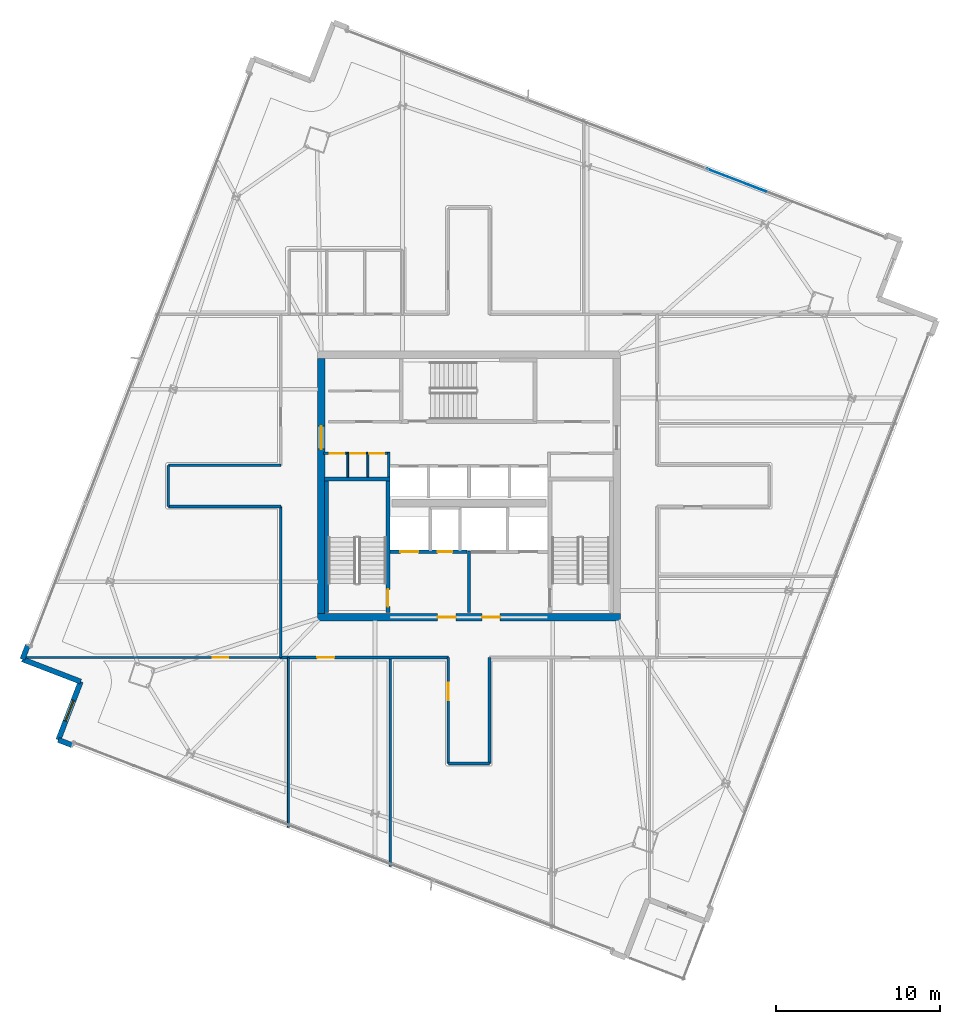
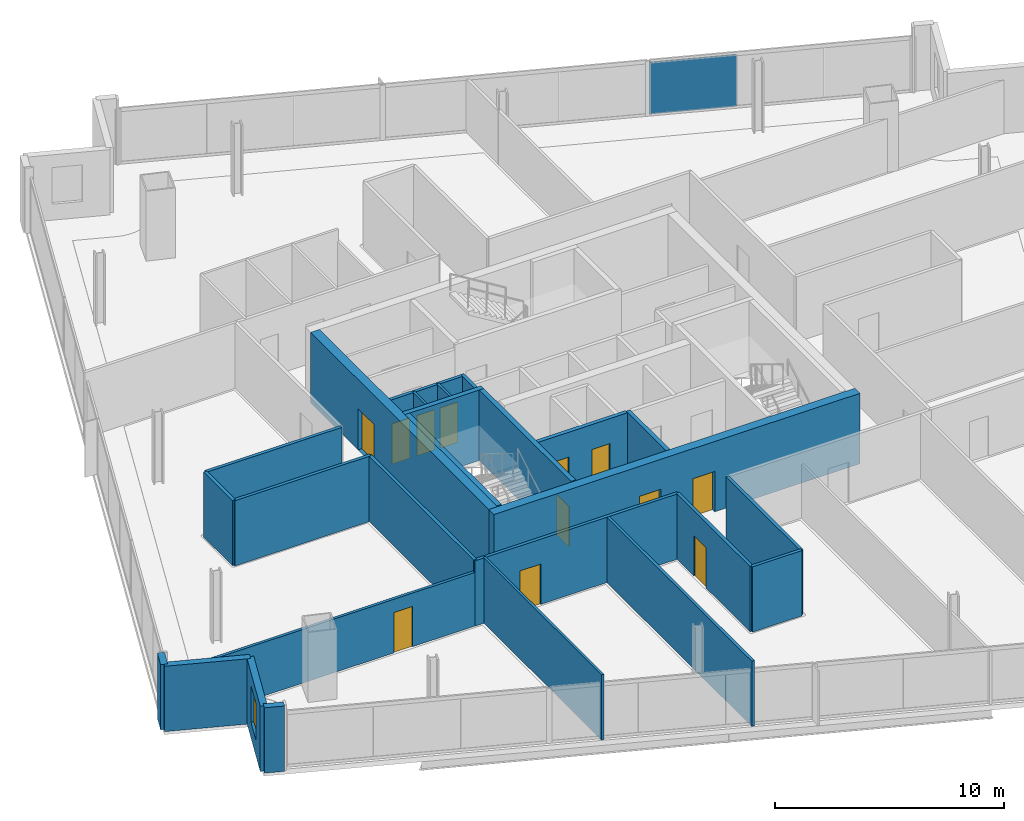
# One storey, part 19 of 27: 26 walls, 12 doors, 1 plate, 1 window, 13 openings, 1 element without a shape of its own.
"""IFC4 building model written with IfcOpenShell, lengths in metres."""

from ifc_helpers import new_model, si_unit, direction, frame, frame_2d, origin, origin_2d, place, context, subcontext, project, spatial, rectangle, extrude, source, transform, mapped, material, layer, layer_set, type_object, element, fill, aggregate, save


model = new_model("IFC4")

# Units and contexts
model_context = context("Model", 3, precision=1e-05, world=origin(), true_north=direction((0.0, 1.0)))
body_context = subcontext(model_context, "Body", "Model", "MODEL_VIEW")
ifc_project = project(units=[si_unit("LENGTHUNIT", "METRE"), si_unit("AREAUNIT", "SQUARE_METRE"), si_unit("VOLUMEUNIT", "CUBIC_METRE"), si_unit("PLANEANGLEUNIT", "RADIAN"), si_unit("MASSUNIT", "GRAM", prefix="KILO")], contexts=[model_context])

# Site, building, storey
site_placement = place(None, origin())
site = spatial("IfcSite", under=ifc_project, at=site_placement, CompositionType="ELEMENT")
building_placement = place(site_placement, origin())
building = spatial("IfcBuilding", under=site, at=building_placement, Name="Haldenkirk Collegiate Tower", CompositionType="ELEMENT")
storey_placement = place(building_placement, frame((0.0, 0.0, 259.949951171875)))
storey = spatial("IfcBuildingStorey", under=building, at=storey_placement, Name="L65", CompositionType="ELEMENT", Elevation=259.949951171875)

# Curtain wall, plate
ifc_material_1 = material(Name="Anodised architectural bronze aluminium", Category="aluminium")
curtain_wall_type = type_object("IfcCurtainWallType", Name="CW-SYS1B-CONVEX-HI", PredefinedType="USERDEFINED", material=ifc_material_1)
curtain_wall_placement = place(storey_placement, origin())
curtain_wall = element("IfcCurtainWall", 1, at=curtain_wall_placement, inside=storey, type_object=curtain_wall_type, Name="L65 Upper tower high-wind convex bronze unitised curtain wall", ObjectType="UNITISED CURTAIN WALL", PredefinedType="USERDEFINED")
ifc_material_2 = material(Name="Bronze-anodised insulated aluminium spandrel panel", Category="aluminium")
ifc_layer_1 = layer(ifc_material_2, 0.048095703125)
ifc_layer_set_1 = layer_set([ifc_layer_1], Name="Bronze-anodised insulated aluminium spandrel panel")
plate_type = type_object("IfcPlateType", Name="CW-SPD-1B", PredefinedType="CURTAIN_PANEL", material=ifc_layer_set_1)
shared_shape = source(origin(), body_context, "Body", "SweptSolid", [
    extrude(rectangle(XDim=3.856201171875, YDim=0.048095703125, at=origin_2d()), origin(), (0.0, 0.0, 1.0), 2.76806640625),
])
plate_placement = place(storey_placement, frame((52.29150390625, 44.618408203125, 0.0849609375), z_axis=(0.0, 0.0, 1.0), x_axis=(0.933580220298, -0.358368486711, 0.0)))
plate = element("IfcPlate", 2, at=plate_placement, type_object=plate_type, Name="CW-1B spandrel panel 3.1a", PredefinedType="CURTAIN_PANEL", context=body_context, shape_type="MappedRepresentation", body=[
    mapped(shared_shape, transform((0.0, 0.0, 0.0), x_axis=(1.0, 0.0, 0.0), y_axis=(0.0, 1.0, 0.0), z_axis=(0.0, 0.0, 1.0), scale=1.0)),
])
aggregate(curtain_wall, [plate])

# Wall, openings, doors
ifc_material_3 = material(Name="Concrete f'c 55 MPa", Category="concrete")
ifc_layer_2 = layer(ifc_material_3, 0.449951171875)
ifc_layer_set_2 = layer_set([ifc_layer_2], Name="Concrete f'c 55 MPa")
wall_type_1 = type_object("IfcWallType", Name="WL-CORE-450", PredefinedType="SHEAR", material=ifc_layer_set_2)
wall_1_placement = place(storey_placement, frame((26.77490234375, 18.0, 0.0), z_axis=(0.0, 0.0, 1.0), x_axis=(1.0, 0.0, 0.0)))
wall_1 = element("IfcWall", 3, at=wall_1_placement, inside=storey, type_object=wall_type_1, Name="L65 central core shear wall S", PredefinedType="SHEAR", context=body_context, shape_type="SweptSolid", body=[
    extrude(rectangle(XDim=18.4501953125, YDim=0.449951171875, at=frame_2d((9.22509765625, 0.0))), origin(), (0.0, 0.0, 1.0), 3.75),
])
opening_1_placement = place(wall_1_placement, frame((7.324951171875, 0.0, 0.0)))
opening_1 = element("IfcOpeningElement", 4, at=opening_1_placement, cuts=wall_1, Name="Opening D-02", PredefinedType="OPENING", context=body_context, shape_type="SweptSolid", body=[
    extrude(rectangle(XDim=1.10009765625, YDim=2.14990234375, at=frame_2d((0.550048828125, 1.074951171875))), frame((0.0, 0.23486328125, 0.0), z_axis=(0.0, -1.0, 0.0), x_axis=(1.0, 0.0, 0.0)), (0.0, 0.0, 1.0), 0.469970703125),
])
opening_2_placement = place(wall_1_placement, frame((10.02490234375, 0.0, 0.0)))
opening_2 = element("IfcOpeningElement", 5, at=opening_2_placement, cuts=wall_1, Name="Opening D-02", PredefinedType="OPENING", context=body_context, shape_type="SweptSolid", body=[
    extrude(rectangle(XDim=1.10009765625, YDim=2.14990234375, at=frame_2d((0.550048828125, 1.074951171875))), frame((0.0, 0.23486328125, 0.0), z_axis=(0.0, -1.0, 0.0), x_axis=(1.0, 0.0, 0.0)), (0.0, 0.0, 1.0), 0.469970703125),
])
ifc_material_4 = material(Name="Galvanized fire-rated hollow steel door", Category="steel")
ifc_layer_3 = layer(ifc_material_4, 0.06005859375)
ifc_layer_set_3 = layer_set([ifc_layer_3], Name="Galvanized fire-rated hollow steel door")
door_type_1 = type_object("IfcDoorType", Name="DR-STAIR-FD90-1100", OperationType="NOTDEFINED", PredefinedType="DOOR", material=ifc_layer_set_3)
door_1_placement = place(opening_1_placement, origin())
door_1 = element("IfcDoor", 6, at=door_1_placement, inside=storey, type_object=door_type_1, Name="L65 Firefighting Lobby 1 door", OperationType="SINGLE_SWING_LEFT", OverallHeight=2.14990234375, OverallWidth=1.10009765625, PredefinedType="DOOR", context=body_context, shape_type="SweptSolid", body=[
    extrude(rectangle(XDim=1.10009765625, YDim=2.14990234375, at=frame_2d((0.550048828125, 1.074951171875))), frame((0.0, 0.02490234375, 0.0), z_axis=(0.0, -1.0, 0.0), x_axis=(1.0, 0.0, 0.0)), (0.0, 0.0, 1.0), 0.050048828125),
])
fill(opening_1, door_1)
door_2_placement = place(opening_2_placement, origin())
door_2 = element("IfcDoor", 7, at=door_2_placement, inside=storey, type_object=door_type_1, Name="L65 Firefighting Lobby 2 door", OperationType="SINGLE_SWING_RIGHT", OverallHeight=2.14990234375, OverallWidth=1.10009765625, PredefinedType="DOOR", context=body_context, shape_type="SweptSolid", body=[
    extrude(rectangle(XDim=1.10009765625, YDim=2.14990234375, at=frame_2d((0.550048828125, 1.074951171875))), frame((0.0, 0.02490234375, 0.0), z_axis=(0.0, -1.0, 0.0), x_axis=(1.0, 0.0, 0.0)), (0.0, 0.0, 1.0), 0.050048828125),
])
fill(opening_2, door_2)

# Wall, opening, door
wall_2_placement = place(storey_placement, frame((27.0, 18.22509765625, 0.0), z_axis=(0.0, 0.0, 1.0), x_axis=(0.0, 1.0, 0.0)))
wall_2 = element("IfcWall", 8, at=wall_2_placement, inside=storey, type_object=wall_type_1, Name="L65 central core shear wall W", PredefinedType="SHEAR", context=body_context, shape_type="SweptSolid", body=[
    extrude(rectangle(XDim=15.5498046875, YDim=0.449951171875, at=frame_2d((7.77490234375, 0.0))), origin(), (0.0, 0.0, 1.0), 3.75),
])
opening_3_placement = place(wall_2_placement, frame((10.014892578125, 0.0, 0.0)))
opening_3 = element("IfcOpeningElement", 9, at=opening_3_placement, cuts=wall_2, Name="Opening D-03", PredefinedType="OPENING", context=body_context, shape_type="SweptSolid", body=[
    extrude(rectangle(XDim=1.39990234375, YDim=2.199951171875, at=frame_2d((0.699951171875, 1.10009765625))), frame((0.0, 0.23486328125, 0.0), z_axis=(0.0, -1.0, 0.0), x_axis=(1.0, 0.0, 0.0)), (0.0, 0.0, 1.0), 0.469970703125),
])
ifc_layer_4 = layer(ifc_material_4, 0.06005859375)
ifc_layer_set_4 = layer_set([ifc_layer_4], Name="Galvanized fire-rated hollow steel door")
door_type_2 = type_object("IfcDoorType", Name="DR-LOBBY-FD90-1400", OperationType="NOTDEFINED", PredefinedType="DOOR", material=ifc_layer_set_4)
door_3_placement = place(opening_3_placement, origin())
door_3 = element("IfcDoor", 10, at=door_3_placement, inside=storey, type_object=door_type_2, Name="L65 west lift lobby portal", OperationType="DOUBLE_DOOR_SINGLE_SWING", OverallHeight=2.199951171875, OverallWidth=1.39990234375, PredefinedType="DOOR", context=body_context, shape_type="SweptSolid", body=[
    extrude(rectangle(XDim=1.39990234375, YDim=2.199951171875, at=frame_2d((0.699951171875, 1.10009765625))), frame((0.0, 0.02490234375, 0.0), z_axis=(0.0, -1.0, 0.0), x_axis=(1.0, 0.0, 0.0)), (0.0, 0.0, 1.0), 0.050048828125),
])
fill(opening_3, door_3)

# Walls
ifc_material_5 = material(Name="Precast concrete f'c 40 MPa", Category="concrete")
ifc_layer_5 = layer(ifc_material_5, 0.320068359375)
ifc_layer_set_5 = layer_set([ifc_layer_5], Name="Precast concrete f'c 40 MPa")
wall_type_2 = type_object("IfcWallType", Name="WL-EXT-TWR-320", PredefinedType="STANDARD", material=ifc_layer_set_5)
wall_3_placement = place(storey_placement, frame((8.810791015625, 15.442626953125, 0.0), z_axis=(0.0, 0.0, 1.0), x_axis=(0.358397236741, 0.933569183669, 0.0)))
element("IfcWall", 11, at=wall_3_placement, inside=storey, type_object=wall_type_2, Name="L65 precast corner pier NL", PredefinedType="STANDARD", context=body_context, shape_type="SweptSolid", body=[
    extrude(rectangle(XDim=0.89990234375, YDim=0.320068359375, at=frame_2d((0.449951171875, 0.0))), origin(), (0.0, 0.0, 1.0), 3.47998046875),
])
wall_4_placement = place(storey_placement, frame((12.3583984375, 14.080810546875, 0.0), z_axis=(0.0, 0.0, 1.0), x_axis=(-0.933578885152, 0.35837196486, 0.0)))
element("IfcWall", 12, at=wall_4_placement, inside=storey, type_object=wall_type_2, Name="L65 bronze precast notch wall 08", PredefinedType="STANDARD", context=body_context, shape_type="SweptSolid", body=[
    extrude(rectangle(XDim=3.800048828125, YDim=0.320068359375, at=frame_2d((1.89990234375, 0.0))), origin(), (0.0, 0.0, 1.0), 3.47998046875),
])

# Wall, opening, window
wall_5_placement = place(storey_placement, frame((10.99658203125, 10.533203125, 0.0), z_axis=(0.0, 0.0, 1.0), x_axis=(0.35837196486, 0.933578885152, 0.0)))
wall_5 = element("IfcWall", 13, at=wall_5_placement, inside=storey, type_object=wall_type_2, Name="L65 bronze precast notch wall 09", PredefinedType="STANDARD", context=body_context, shape_type="SweptSolid", body=[
    extrude(rectangle(XDim=3.800048828125, YDim=0.320068359375, at=frame_2d((1.89990234375, 0.0))), origin(), (0.0, 0.0, 1.0), 3.47998046875),
])
opening_4_placement = place(wall_5_placement, frame((1.22509765625, 0.0, 0.85009765625)))
opening_4 = element("IfcOpeningElement", 14, at=opening_4_placement, cuts=wall_5, Name="Opening W-07", PredefinedType="OPENING", context=body_context, shape_type="SweptSolid", body=[
    extrude(rectangle(XDim=1.35009765625, YDim=1.949951171875, at=frame_2d((0.675048828125, 0.97509765625))), frame((0.0, 0.169921875, 0.0), z_axis=(0.0, -1.0, 0.0), x_axis=(1.0, 0.0, 0.0)), (0.0, 0.0, 1.0), 0.340087890625),
])
ifc_material_6 = material(Name="Low-E argon triple insulating glass", Category="glass")
ifc_layer_6 = layer(ifc_material_6, 0.090087890625)
ifc_layer_set_6 = layer_set([ifc_layer_6], Name="Low-E argon triple insulating glass")
window_type = type_object("IfcWindowType", Name="WN-Z5-1350X1950", PartitioningType="SINGLE_PANEL", PredefinedType="WINDOW", material=ifc_layer_set_6)
window_placement = place(opening_4_placement, origin())
window = element("IfcWindow", 15, at=window_placement, inside=storey, type_object=window_type, Name="L65 precast-frame academic window 8", OverallHeight=1.949951171875, OverallWidth=1.35009765625, PartitioningType="SINGLE_PANEL", PredefinedType="WINDOW", context=body_context, shape_type="SweptSolid", body=[
    extrude(rectangle(XDim=1.35009765625, YDim=1.949951171875, at=frame_2d((0.675048828125, 0.97509765625))), frame((0.0, 0.030029296875, 0.0), z_axis=(0.0, -1.0, 0.0), x_axis=(1.0, 0.0, 0.0)), (0.0, 0.0, 1.0), 0.06005859375),
])
fill(opening_4, window)

# Wall
wall_6_placement = place(storey_placement, frame((11.836669921875, 10.210693359375, 0.0), z_axis=(0.0, 0.0, 1.0), x_axis=(-0.933569183669, 0.358397236741, 0.0)))
element("IfcWall", 16, at=wall_6_placement, inside=storey, type_object=wall_type_2, Name="L65 precast corner pier WR", PredefinedType="STANDARD", context=body_context, shape_type="SweptSolid", body=[
    extrude(rectangle(XDim=0.89990234375, YDim=0.320068359375, at=frame_2d((0.449951171875, 0.0))), origin(), (0.0, 0.0, 1.0), 3.47998046875),
])

# Wall, openings, doors
ifc_material_7 = material(Name="Acoustic fire-rated gypsum partition", Category="concrete")
ifc_layer_7 = layer(ifc_material_7, 0.159912109375)
ifc_layer_set_7 = layer_set([ifc_layer_7], Name="Acoustic fire-rated gypsum partition")
wall_type_3 = type_object("IfcWallType", Name="WL-INT-CORR-160", PredefinedType="PARTITIONING", material=ifc_layer_set_7)
wall_7_placement = place(storey_placement, frame((27.14990234375, 27.97998046875, 0.0), z_axis=(0.0, 0.0, 1.0), x_axis=(1.0, 0.0, 0.0)))
wall_7 = element("IfcWall", 17, at=wall_7_placement, inside=storey, type_object=wall_type_3, Name="L65 interior partition IW-L65-VCSW-N", PredefinedType="PARTITIONING", context=body_context, shape_type="SweptSolid", body=[
    extrude(rectangle(XDim=4.050048828125, YDim=0.159912109375, at=frame_2d((2.02490234375, 0.0))), origin(), (0.0, 0.0, 1.0), 3.47998046875),
])
opening_5_placement = place(wall_7_placement, frame((0.360107421875, 0.0, 0.0)))
opening_5 = element("IfcOpeningElement", 18, at=opening_5_placement, cuts=wall_7, Name="Opening D-11", PredefinedType="OPENING", context=body_context, shape_type="SweptSolid", body=[
    extrude(rectangle(XDim=0.89990234375, YDim=2.14990234375, at=frame_2d((0.449951171875, 1.074951171875))), frame((0.0, 0.08984375, 0.0), z_axis=(0.0, -1.0, 0.0), x_axis=(1.0, 0.0, 0.0)), (0.0, 0.0, 1.0), 0.179931640625),
])
opening_6_placement = place(wall_7_placement, frame((1.6298828125, 0.0, 0.0)))
opening_6 = element("IfcOpeningElement", 19, at=opening_6_placement, cuts=wall_7, Name="Opening D-11", PredefinedType="OPENING", context=body_context, shape_type="SweptSolid", body=[
    extrude(rectangle(XDim=0.89990234375, YDim=2.14990234375, at=frame_2d((0.449951171875, 1.074951171875))), frame((0.0, 0.08984375, 0.0), z_axis=(0.0, -1.0, 0.0), x_axis=(1.0, 0.0, 0.0)), (0.0, 0.0, 1.0), 0.179931640625),
])
opening_7_placement = place(wall_7_placement, frame((2.78759765625, 0.0, 0.0)))
opening_7 = element("IfcOpeningElement", 20, at=opening_7_placement, cuts=wall_7, Name="Opening D-11", PredefinedType="OPENING", context=body_context, shape_type="SweptSolid", body=[
    extrude(rectangle(XDim=0.89990234375, YDim=2.14990234375, at=frame_2d((0.449951171875, 1.074951171875))), frame((0.0, 0.08984375, 0.0), z_axis=(0.0, -1.0, 0.0), x_axis=(1.0, 0.0, 0.0)), (0.0, 0.0, 1.0), 0.179931640625),
])
ifc_material_8 = material(Name="Solid-core architectural oak fire door", Category="wood")
ifc_layer_8 = layer(ifc_material_8, 0.06005859375)
ifc_layer_set_8 = layer_set([ifc_layer_8], Name="Solid-core architectural oak fire door")
door_type_3 = type_object("IfcDoorType", Name="DR-INT-FD60-900", OperationType="NOTDEFINED", PredefinedType="DOOR", material=ifc_layer_set_8)
door_4_placement = place(opening_5_placement, origin())
door_4 = element("IfcDoor", 21, at=door_4_placement, inside=storey, type_object=door_type_3, Name="L65 core study booth door", OperationType="SINGLE_SWING_LEFT", OverallHeight=2.14990234375, OverallWidth=0.89990234375, PredefinedType="DOOR", context=body_context, shape_type="SweptSolid", body=[
    extrude(rectangle(XDim=0.89990234375, YDim=2.14990234375, at=frame_2d((0.449951171875, 1.074951171875))), frame((0.0, 0.02490234375, 0.0), z_axis=(0.0, -1.0, 0.0), x_axis=(1.0, 0.0, 0.0)), (0.0, 0.0, 1.0), 0.050048828125),
])
fill(opening_5, door_4)
door_5_placement = place(opening_6_placement, origin())
door_5 = element("IfcDoor", 22, at=door_5_placement, inside=storey, type_object=door_type_3, Name="L65 core cleaners door", OperationType="SINGLE_SWING_RIGHT", OverallHeight=2.14990234375, OverallWidth=0.89990234375, PredefinedType="DOOR", context=body_context, shape_type="SweptSolid", body=[
    extrude(rectangle(XDim=0.89990234375, YDim=2.14990234375, at=frame_2d((0.449951171875, 1.074951171875))), frame((0.0, 0.02490234375, 0.0), z_axis=(0.0, -1.0, 0.0), x_axis=(1.0, 0.0, 0.0)), (0.0, 0.0, 1.0), 0.050048828125),
])
fill(opening_6, door_5)
door_6_placement = place(opening_7_placement, origin())
door_6 = element("IfcDoor", 23, at=door_6_placement, inside=storey, type_object=door_type_3, Name="L65 core stationery door", OperationType="SINGLE_SWING_LEFT", OverallHeight=2.14990234375, OverallWidth=0.89990234375, PredefinedType="DOOR", context=body_context, shape_type="SweptSolid", body=[
    extrude(rectangle(XDim=0.89990234375, YDim=2.14990234375, at=frame_2d((0.449951171875, 1.074951171875))), frame((0.0, 0.02490234375, 0.0), z_axis=(0.0, -1.0, 0.0), x_axis=(1.0, 0.0, 0.0)), (0.0, 0.0, 1.0), 0.050048828125),
])
fill(opening_7, door_6)

# Wall
wall_8_placement = place(storey_placement, frame((31.1201171875, 26.5400390625, 0.0), z_axis=(0.0, 0.0, 1.0), x_axis=(0.0, 1.0, 0.0)))
element("IfcWall", 24, at=wall_8_placement, inside=storey, type_object=wall_type_3, Name="L65 interior partition IW-L65-VCSW-E", PredefinedType="PARTITIONING", context=body_context, shape_type="SweptSolid", body=[
    extrude(rectangle(XDim=1.510009765625, YDim=0.159912109375, at=frame_2d((0.7548828125, 0.0))), origin(), (0.0, 0.0, 1.0), 3.47998046875),
])

# Wall, opening, door
wall_9_placement = place(storey_placement, frame((24.5, 15.550048828125, 0.0), z_axis=(0.0, 0.0, 1.0), x_axis=(1.0, 0.0, 0.0)))
wall_9 = element("IfcWall", 25, at=wall_9_placement, inside=storey, type_object=wall_type_3, Name="L65 interior partition IW-L65-CS1", PredefinedType="PARTITIONING", context=body_context, shape_type="SweptSolid", body=[
    extrude(rectangle(XDim=10.25, YDim=0.159912109375, at=frame_2d((5.125, 0.0))), origin(), (0.0, 0.0, 1.0), 3.47998046875),
])
opening_8_placement = place(wall_9_placement, frame((2.2509765625, 0.0, 0.0)))
opening_8 = element("IfcOpeningElement", 26, at=opening_8_placement, cuts=wall_9, Name="Opening D-09", PredefinedType="OPENING", context=body_context, shape_type="SweptSolid", body=[
    extrude(rectangle(XDim=1.050048828125, YDim=2.14990234375, at=frame_2d((0.52490234375, 1.074951171875))), frame((0.0, 0.08984375, 0.0), z_axis=(0.0, -1.0, 0.0), x_axis=(1.0, 0.0, 0.0)), (0.0, 0.0, 1.0), 0.179931640625),
])
ifc_layer_9 = layer(ifc_material_8, 0.06005859375)
ifc_layer_set_9 = layer_set([ifc_layer_9], Name="Solid-core architectural oak fire door")
door_type_4 = type_object("IfcDoorType", Name="DR-INT-FD60-1050", OperationType="NOTDEFINED", PredefinedType="DOOR", material=ifc_layer_set_9)
door_7_placement = place(opening_8_placement, origin())
door_7 = element("IfcDoor", 27, at=door_7_placement, inside=storey, type_object=door_type_4, Name="L65 Computational Design Studio 2 door", OperationType="SINGLE_SWING_RIGHT", OverallHeight=2.14990234375, OverallWidth=1.050048828125, PredefinedType="DOOR", context=body_context, shape_type="SweptSolid", body=[
    extrude(rectangle(XDim=1.050048828125, YDim=2.14990234375, at=frame_2d((0.52490234375, 1.074951171875))), frame((0.0, 0.02490234375, 0.0), z_axis=(0.0, -1.0, 0.0), x_axis=(1.0, 0.0, 0.0)), (0.0, 0.0, 1.0), 0.050048828125),
])
fill(opening_8, door_7)

# Wall
wall_10_placement = place(storey_placement, frame((24.550048828125, 15.550048828125, 0.0), z_axis=(0.0, 0.0, 1.0), x_axis=(0.0, 1.0, 0.0)))
element("IfcWall", 28, at=wall_10_placement, inside=storey, type_object=wall_type_3, Name="L65 interior partition IW-L65-CW1", PredefinedType="PARTITIONING", context=body_context, shape_type="SweptSolid", body=[
    extrude(rectangle(XDim=9.199951171875, YDim=0.159912109375, at=frame_2d((4.60009765625, 0.0))), origin(), (0.0, 0.0, 1.0), 3.47998046875),
])

# Wall, opening, door
wall_11_placement = place(storey_placement, frame((34.75, 9.10009765625, 0.0), z_axis=(0.0, 0.0, 1.0), x_axis=(0.0, 1.0, 0.0)))
wall_11 = element("IfcWall", 29, at=wall_11_placement, inside=storey, type_object=wall_type_3, Name="L65 interior partition IW-L65-SPW", PredefinedType="PARTITIONING", context=body_context, shape_type="SweptSolid", body=[
    extrude(rectangle(XDim=6.449951171875, YDim=0.159912109375, at=frame_2d((3.22509765625, 0.0))), origin(), (0.0, 0.0, 1.0), 3.47998046875),
])
opening_9_placement = place(wall_11_placement, frame((3.861083984375, 0.0, 0.0)))
opening_9 = element("IfcOpeningElement", 30, at=opening_9_placement, cuts=wall_11, Name="Opening D-09", PredefinedType="OPENING", context=body_context, shape_type="SweptSolid", body=[
    extrude(rectangle(XDim=1.050048828125, YDim=2.14990234375, at=frame_2d((0.52490234375, 1.074951171875))), frame((0.0, 0.08984375, 0.0), z_axis=(0.0, -1.0, 0.0), x_axis=(1.0, 0.0, 0.0)), (0.0, 0.0, 1.0), 0.179931640625),
])
door_8_placement = place(opening_9_placement, origin())
door_8 = element("IfcDoor", 31, at=door_8_placement, inside=storey, type_object=door_type_4, Name="L65 Robotics Fabrication Lab 3 door", OperationType="SINGLE_SWING_LEFT", OverallHeight=2.14990234375, OverallWidth=1.050048828125, PredefinedType="DOOR", context=body_context, shape_type="SweptSolid", body=[
    extrude(rectangle(XDim=1.050048828125, YDim=2.14990234375, at=frame_2d((0.52490234375, 1.074951171875))), frame((0.0, 0.02490234375, 0.0), z_axis=(0.0, -1.0, 0.0), x_axis=(1.0, 0.0, 0.0)), (0.0, 0.0, 1.0), 0.050048828125),
])
fill(opening_9, door_8)

# Walls
wall_12_placement = place(storey_placement, frame((37.25, 9.10009765625, 0.0), z_axis=(0.0, 0.0, 1.0), x_axis=(0.0, 1.0, 0.0)))
element("IfcWall", 32, at=wall_12_placement, inside=storey, type_object=wall_type_3, Name="L65 interior partition IW-L65-SPE", PredefinedType="PARTITIONING", context=body_context, shape_type="SweptSolid", body=[
    extrude(rectangle(XDim=6.449951171875, YDim=0.159912109375, at=frame_2d((3.22509765625, 0.0))), origin(), (0.0, 0.0, 1.0), 3.47998046875),
])
wall_13_placement = place(storey_placement, frame((34.75, 9.10009765625, 0.0), z_axis=(0.0, 0.0, 1.0), x_axis=(1.0, 0.0, 0.0)))
element("IfcWall", 33, at=wall_13_placement, inside=storey, type_object=wall_type_3, Name="L65 interior partition IW-L65-SPS", PredefinedType="PARTITIONING", context=body_context, shape_type="SweptSolid", body=[
    extrude(rectangle(XDim=2.5, YDim=0.159912109375, at=frame_2d((1.25, 0.0))), origin(), (0.0, 0.0, 1.0), 3.47998046875),
])
for number, where, z_axis, x_axis, name in (
    (34, (17.699951171875, 24.75, 0.0), (0.0, 0.0, 1.0), (1.0, 0.0, 0.0), "L65 interior partition IW-L65-WPS"),
    (35, (17.699951171875, 27.25, 0.0), (0.0, 0.0, 1.0), (1.0, 0.0, 0.0), "L65 interior partition IW-L65-WPN"),
):
    element("IfcWall", number, at=place(storey_placement, frame(where, z_axis=z_axis, x_axis=x_axis)), inside=storey, type_object=wall_type_3, Name=name, PredefinedType="PARTITIONING", context=body_context, shape_type="SweptSolid", body=[
        extrude(rectangle(XDim=6.85009765625, YDim=0.159912109375, at=frame_2d((3.425048828125, 0.0))), origin(), (0.0, 0.0, 1.0), 3.47998046875),
    ])
wall_14_placement = place(storey_placement, frame((17.699951171875, 24.75, 0.0), z_axis=(0.0, 0.0, 1.0), x_axis=(0.0, 1.0, 0.0)))
element("IfcWall", 36, at=wall_14_placement, inside=storey, type_object=wall_type_3, Name="L65 interior partition IW-L65-WPW", PredefinedType="PARTITIONING", context=body_context, shape_type="SweptSolid", body=[
    extrude(rectangle(XDim=2.5, YDim=0.159912109375, at=frame_2d((1.25, 0.0))), origin(), (0.0, 0.0, 1.0), 3.47998046875),
])

# Wall, opening, door
ifc_layer_10 = layer(ifc_material_7, 0.139892578125)
ifc_layer_set_10 = layer_set([ifc_layer_10], Name="Acoustic fire-rated gypsum partition")
wall_type_4 = type_object("IfcWallType", Name="WL-INT-DIV-140", PredefinedType="PARTITIONING", material=ifc_layer_set_10)
wall_15_placement = place(storey_placement, frame((8.894775390625, 15.550048828125, 0.0), z_axis=(0.0, 0.0, 1.0), x_axis=(1.0, 0.0, 0.0)))
wall_15 = element("IfcWall", 37, at=wall_15_placement, inside=storey, type_object=wall_type_4, Name="L65 interior partition IW-L65-BWS", PredefinedType="PARTITIONING", context=body_context, shape_type="SweptSolid", body=[
    extrude(rectangle(XDim=15.6552734375, YDim=0.139892578125, at=frame_2d((7.82763671875, 0.0))), origin(), (0.0, 0.0, 1.0), 2.858154296875),
])
opening_10_placement = place(wall_15_placement, frame((11.51025390625, 0.0, 0.0)))
opening_10 = element("IfcOpeningElement", 38, at=opening_10_placement, cuts=wall_15, Name="Opening D-12", PredefinedType="OPENING", context=body_context, shape_type="SweptSolid", body=[
    extrude(rectangle(XDim=0.949951171875, YDim=2.14990234375, at=frame_2d((0.47509765625, 1.074951171875))), frame((0.0, 0.079833984375, 0.0), z_axis=(0.0, -1.0, 0.0), x_axis=(1.0, 0.0, 0.0)), (0.0, 0.0, 1.0), 0.159912109375),
])
ifc_layer_11 = layer(ifc_material_8, 0.06005859375)
ifc_layer_set_11 = layer_set([ifc_layer_11], Name="Solid-core architectural oak fire door")
door_type_5 = type_object("IfcDoorType", Name="DR-INT-STD-950", OperationType="NOTDEFINED", PredefinedType="DOOR", material=ifc_layer_set_11)
door_9_placement = place(opening_10_placement, origin())
door_9 = element("IfcDoor", 39, at=door_9_placement, inside=storey, type_object=door_type_5, Name="L65 Wet Science Laboratory 1 door", OperationType="SINGLE_SWING_LEFT", OverallHeight=2.14990234375, OverallWidth=0.949951171875, PredefinedType="DOOR", context=body_context, shape_type="SweptSolid", body=[
    extrude(rectangle(XDim=0.949951171875, YDim=2.14990234375, at=frame_2d((0.47509765625, 1.074951171875))), frame((0.0, 0.02490234375, 0.0), z_axis=(0.0, -1.0, 0.0), x_axis=(1.0, 0.0, 0.0)), (0.0, 0.0, 1.0), 0.050048828125),
])
fill(opening_10, door_9)

# Walls
wall_16_placement = place(storey_placement, frame((31.199951171875, 2.820556640625, 0.0), z_axis=(0.0, 0.0, 1.0), x_axis=(0.0, 1.0, 0.0)))
element("IfcWall", 40, at=wall_16_placement, inside=storey, type_object=wall_type_4, Name="L65 interior partition IW-L65-RS2", PredefinedType="PARTITIONING", context=body_context, shape_type="SweptSolid", body=[
    extrude(rectangle(XDim=12.7294921875, YDim=0.139892578125, at=frame_2d((6.36474609375, 0.0))), origin(), (0.0, 0.0, 1.0), 3.47998046875),
])
ifc_material_9 = material(Name="Fire-rated gypsum shaftboard assembly", Category="concrete")
ifc_layer_12 = layer(ifc_material_9, 0.199951171875)
ifc_layer_set_12 = layer_set([ifc_layer_12], Name="Fire-rated gypsum shaftboard assembly")
wall_type_5 = type_object("IfcWallType", Name="WL-INT-SHAFT-200", PredefinedType="PARTITIONING", material=ifc_layer_set_12)
wall_17_placement = place(storey_placement, frame((36.0, 18.280029296875, 0.0), z_axis=(0.0, 0.0, 1.0), x_axis=(0.0, 1.0, 0.0)))
element("IfcWall", 41, at=wall_17_placement, inside=storey, type_object=wall_type_5, Name="L65 interior partition IW-L65-FFLM", PredefinedType="PARTITIONING", context=body_context, shape_type="SweptSolid", body=[
    extrude(rectangle(XDim=3.77001953125, YDim=0.199951171875, at=frame_2d((1.885009765625, 0.0))), origin(), (0.0, 0.0, 1.0), 3.47998046875),
])

# Wall, openings, doors
wall_18_placement = place(storey_placement, frame((31.18994140625, 22.0, 0.0), z_axis=(0.0, 0.0, 1.0), x_axis=(1.0, 0.0, 0.0)))
wall_18 = element("IfcWall", 42, at=wall_18_placement, inside=storey, type_object=wall_type_5, Name="L65 interior partition IW-L65-FFL1N", PredefinedType="PARTITIONING", context=body_context, shape_type="SweptSolid", body=[
    extrude(rectangle(XDim=4.68994140625, YDim=0.199951171875, at=frame_2d((2.344970703125, 0.0))), origin(), (0.0, 0.0, 1.0), 3.47998046875),
])
opening_11_placement = place(wall_18_placement, frame((2.909912109375, 0.0, 0.0)))
opening_11 = element("IfcOpeningElement", 43, at=opening_11_placement, cuts=wall_18, Name="Opening D-06", PredefinedType="OPENING", context=body_context, shape_type="SweptSolid", body=[
    extrude(rectangle(XDim=0.89990234375, YDim=2.14990234375, at=frame_2d((0.449951171875, 1.074951171875))), frame((0.0, 0.10986328125, 0.0), z_axis=(0.0, -1.0, 0.0), x_axis=(1.0, 0.0, 0.0)), (0.0, 0.0, 1.0), 0.219970703125),
])
opening_12_placement = place(wall_18_placement, frame((0.635009765625, 0.0, 0.0)))
opening_12 = element("IfcOpeningElement", 44, at=opening_12_placement, cuts=wall_18, Name="Opening LD-12", PredefinedType="OPENING", context=body_context, shape_type="SweptSolid", body=[
    extrude(rectangle(XDim=1.10009765625, YDim=2.14990234375, at=frame_2d((0.550048828125, 1.074951171875))), frame((0.0, 0.10986328125, 0.0), z_axis=(0.0, -1.0, 0.0), x_axis=(1.0, 0.0, 0.0)), (0.0, 0.0, 1.0), 0.219970703125),
])
ifc_layer_13 = layer(ifc_material_4, 0.06005859375)
ifc_layer_set_13 = layer_set([ifc_layer_13], Name="Galvanized fire-rated hollow steel door")
door_type_6 = type_object("IfcDoorType", Name="DR-INT-FD90-900", OperationType="NOTDEFINED", PredefinedType="DOOR", material=ifc_layer_set_13)
door_10_placement = place(opening_11_placement, origin())
door_10 = element("IfcDoor", 45, at=door_10_placement, inside=storey, type_object=door_type_6, Name="L65 electrical riser door", OperationType="SINGLE_SWING_LEFT", OverallHeight=2.14990234375, OverallWidth=0.89990234375, PredefinedType="DOOR", context=body_context, shape_type="SweptSolid", body=[
    extrude(rectangle(XDim=0.89990234375, YDim=2.14990234375, at=frame_2d((0.449951171875, 1.074951171875))), frame((0.0, 0.02490234375, 0.0), z_axis=(0.0, -1.0, 0.0), x_axis=(1.0, 0.0, 0.0)), (0.0, 0.0, 1.0), 0.050048828125),
])
fill(opening_11, door_10)
ifc_material_10 = material(Name="Brushed architectural stainless steel", Category="steel")
ifc_layer_14 = layer(ifc_material_10, 0.06005859375)
ifc_layer_set_14 = layer_set([ifc_layer_14], Name="Brushed architectural stainless steel")
door_type_7 = type_object("IfcDoorType", Name="LD-FIRE-1100", OperationType="NOTDEFINED", PredefinedType="DOOR", material=ifc_layer_set_14)
door_11_placement = place(opening_12_placement, origin())
door_11 = element("IfcDoor", 46, at=door_11_placement, inside=storey, type_object=door_type_7, Name="L65 Elevator FL1 sliding landing door", OperationType="SLIDING_TO_LEFT", OverallHeight=2.14990234375, OverallWidth=1.10009765625, PredefinedType="DOOR", context=body_context, shape_type="SweptSolid", body=[
    extrude(rectangle(XDim=1.10009765625, YDim=2.14990234375, at=frame_2d((0.550048828125, 1.074951171875))), frame((0.0, 0.02490234375, 0.0), z_axis=(0.0, -1.0, 0.0), x_axis=(1.0, 0.0, 0.0)), (0.0, 0.0, 1.0), 0.050048828125),
])
fill(opening_12, door_11)

# Walls
ifc_layer_15 = layer(ifc_material_7, 0.1201171875)
ifc_layer_set_15 = layer_set([ifc_layer_15], Name="Acoustic fire-rated gypsum partition")
wall_type_6 = type_object("IfcWallType", Name="WL-INT-WET-120", PredefinedType="PARTITIONING", material=ifc_layer_set_15)
for number, where, z_axis, x_axis, name in (
    (47, (28.6201171875, 26.5400390625, 0.0), (0.0, 0.0, 1.0), (0.0, 1.0, 0.0), "L65 interior partition IW-L65-VCSW-M1"),
    (48, (29.840087890625, 26.5400390625, 0.0), (0.0, 0.0, 1.0), (0.0, 1.0, 0.0), "L65 interior partition IW-L65-VCSW-M2"),
):
    element("IfcWall", number, at=place(storey_placement, frame(where, z_axis=z_axis, x_axis=x_axis)), inside=storey, type_object=wall_type_6, Name=name, PredefinedType="PARTITIONING", context=body_context, shape_type="SweptSolid", body=[
        extrude(rectangle(XDim=1.43994140625, YDim=0.1201171875, at=frame_2d((0.719970703125, 0.0))), origin(), (0.0, 0.0, 1.0), 3.47998046875),
    ])
wall_19_placement = place(storey_placement, frame((25.0, 5.20068359375, 0.0), z_axis=(0.0, 0.0, 1.0), x_axis=(0.0, 1.0, 0.0)))
element("IfcWall", 49, at=wall_19_placement, inside=storey, type_object=wall_type_6, Name="L65 interior partition IW-L65-RS1", PredefinedType="PARTITIONING", context=body_context, shape_type="SweptSolid", body=[
    extrude(rectangle(XDim=10.349365234375, YDim=0.1201171875, at=frame_2d((5.1748046875, 0.0))), origin(), (0.0, 0.0, 1.0), 3.47998046875),
])

# Wall, opening, door
ifc_layer_16 = layer(ifc_material_3, 0.239990234375)
ifc_layer_set_16 = layer_set([ifc_layer_16], Name="Concrete f'c 55 MPa")
wall_type_7 = type_object("IfcWallType", Name="WL-SHAFT-240", PredefinedType="SHEAR", material=ifc_layer_set_16)
wall_20_placement = place(storey_placement, frame((31.070068359375, 18.280029296875, 0.0), z_axis=(0.0, 0.0, 1.0), x_axis=(0.0, 1.0, 0.0)))
wall_20 = element("IfcWall", 50, at=wall_20_placement, inside=storey, type_object=wall_type_7, Name="L65 stair shaft shear wall SW-L65-ST1E", PredefinedType="SHEAR", context=body_context, shape_type="SweptSolid", body=[
    extrude(rectangle(XDim=8.260009765625, YDim=0.239990234375, at=frame_2d((4.1298828125, 0.0))), origin(), (0.0, 0.0, 1.0), 3.75),
])
opening_13_placement = place(wall_20_placement, frame((0.364990234375, 0.0, 0.0)))
opening_13 = element("IfcOpeningElement", 51, at=opening_13_placement, cuts=wall_20, Name="Opening D-01", PredefinedType="OPENING", context=body_context, shape_type="SweptSolid", body=[
    extrude(rectangle(XDim=1.050048828125, YDim=2.14990234375, at=frame_2d((0.52490234375, 1.074951171875))), frame((0.0, 0.1298828125, 0.0), z_axis=(0.0, -1.0, 0.0), x_axis=(1.0, 0.0, 0.0)), (0.0, 0.0, 1.0), 0.260009765625),
])
ifc_layer_17 = layer(ifc_material_4, 0.06005859375)
ifc_layer_set_17 = layer_set([ifc_layer_17], Name="Galvanized fire-rated hollow steel door")
door_type_8 = type_object("IfcDoorType", Name="DR-STAIR-FD90-1050", OperationType="NOTDEFINED", PredefinedType="DOOR", material=ifc_layer_set_17)
door_12_placement = place(opening_13_placement, origin())
door_12 = element("IfcDoor", 52, at=door_12_placement, inside=storey, type_object=door_type_8, Name="L65 Stair 1 door", OperationType="SINGLE_SWING_LEFT", OverallHeight=2.14990234375, OverallWidth=1.050048828125, PredefinedType="DOOR", context=body_context, shape_type="SweptSolid", body=[
    extrude(rectangle(XDim=1.050048828125, YDim=2.14990234375, at=frame_2d((0.52490234375, 1.074951171875))), frame((0.0, 0.02490234375, 0.0), z_axis=(0.0, -1.0, 0.0), x_axis=(1.0, 0.0, 0.0)), (0.0, 0.0, 1.0), 0.050048828125),
])
fill(opening_13, door_12)

# Walls
wall_21_placement = place(storey_placement, frame((27.2099609375, 26.419921875, 0.0), z_axis=(0.0, 0.0, 1.0), x_axis=(1.0, 0.0, 0.0)))
element("IfcWall", 53, at=wall_21_placement, inside=storey, type_object=wall_type_7, Name="L65 stair shaft shear wall SW-L65-ST1N", PredefinedType="SHEAR", context=body_context, shape_type="SweptSolid", body=[
    extrude(rectangle(XDim=3.97998046875, YDim=0.239990234375, at=frame_2d((1.989990234375, 0.0))), origin(), (0.0, 0.0, 1.0), 3.75),
])
wall_22_placement = place(storey_placement, frame((27.330078125, 18.280029296875, 0.0), z_axis=(0.0, 0.0, 1.0), x_axis=(0.0, 1.0, 0.0)))
element("IfcWall", 54, at=wall_22_placement, inside=storey, type_object=wall_type_7, Name="L65 stair shaft shear wall SW-L65-ST1W", PredefinedType="SHEAR", context=body_context, shape_type="SweptSolid", body=[
    extrude(rectangle(XDim=8.260009765625, YDim=0.239990234375, at=frame_2d((4.1298828125, 0.0))), origin(), (0.0, 0.0, 1.0), 3.75),
])

save(model, "model.ifc")
